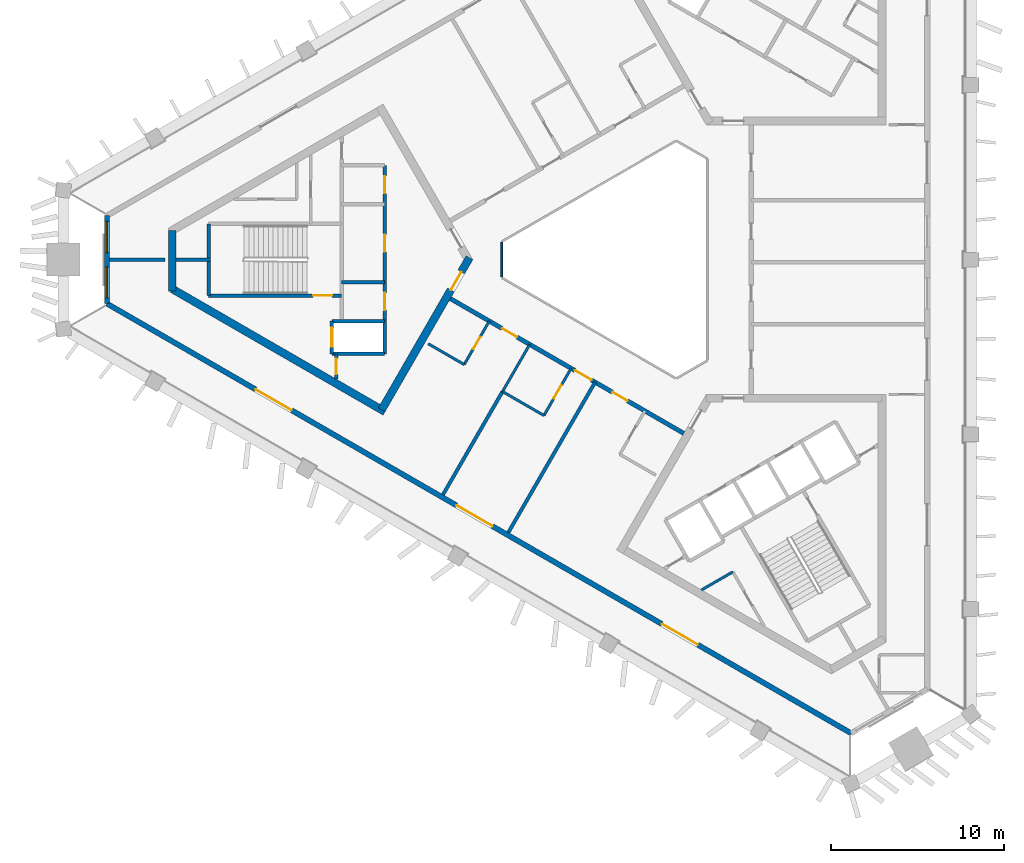
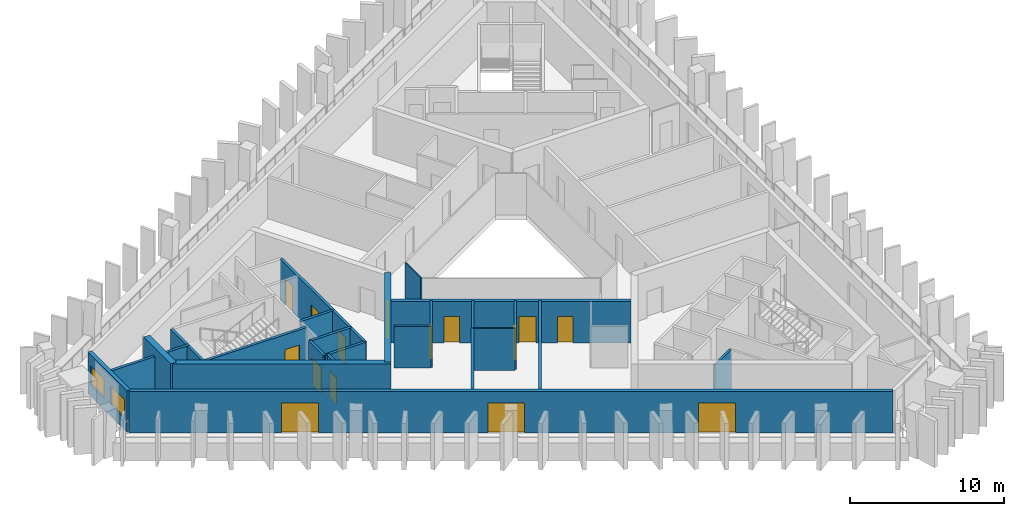
# One storey, part 2 of 9: 25 walls, 15 doors, 2 windows, 17 openings.
"""IFC4 building model written with IfcOpenShell, lengths in metres."""

from ifc_helpers import new_model, si_unit, direction, frame, frame_2d, origin, place, context, subcontext, project, spatial, rectangle, extrude, material, layer, layer_set, type_object, element, fill, save


model = new_model("IFC4")

# Units and contexts
model_context = context("Model", 3, precision=1e-05, world=origin(), true_north=direction((0.0, 1.0)))
body_context = subcontext(model_context, "Body", "Model", "MODEL_VIEW")
ifc_project = project(units=[si_unit("LENGTHUNIT", "METRE"), si_unit("AREAUNIT", "SQUARE_METRE"), si_unit("VOLUMEUNIT", "CUBIC_METRE"), si_unit("PLANEANGLEUNIT", "RADIAN"), si_unit("MASSUNIT", "GRAM", prefix="KILO")], contexts=[model_context])

# Site, building, storey
site_placement = place(None, origin())
site = spatial("IfcSite", under=ifc_project, at=site_placement, CompositionType="ELEMENT")
building_placement = place(site_placement, origin())
building = spatial("IfcBuilding", under=site, at=building_placement, Name="Jabali Bay Hotel Tower and Convention Centre", CompositionType="ELEMENT")
storey_placement = place(building_placement, frame((0.0, 0.0, 239.10009765625)))
storey = spatial("IfcBuildingStorey", under=building, at=storey_placement, Name="L59", CompositionType="ELEMENT", Elevation=239.10009765625)

# Walls
ifc_material_1 = material(Name="Fire-resistant glazing", Category="glass")
ifc_layer_1 = layer(ifc_material_1, 0.10009765625)
ifc_layer_set_1 = layer_set([ifc_layer_1], Name="Fire-resistant glazing")
wall_type_1 = type_object("IfcWallType", Name="Atrium glazed screen 100", PredefinedType="PARTITIONING", material=ifc_layer_set_1)
wall_1_placement = place(storey_placement, frame((67.672119140625, 81.0, 0.0), z_axis=(0.0, 0.0, 1.0), x_axis=(0.0, -1.0, 0.0)))
element("IfcWall", 1, at=wall_1_placement, inside=storey, type_object=wall_type_1, Name="Atrium screen 4 L59", PredefinedType="PARTITIONING", context=body_context, shape_type="SweptSolid", body=[
    extrude(rectangle(XDim=2.0, YDim=0.10009765625, at=frame_2d((1.0, 0.0))), origin(), (0.0, 0.0, 1.0), 3.2998046875),
])
ifc_material_2 = material(Name="Concrete C40", Category="concrete")
ifc_layer_2 = layer(ifc_material_2, 0.199951171875)
ifc_layer_set_2 = layer_set([ifc_layer_2], Name="Concrete C40")
wall_type_2 = type_object("IfcWallType", Name="Core partition wall 200", PredefinedType="PARTITIONING", material=ifc_layer_set_2)
wall_2_placement = place(storey_placement, frame((50.820068359375, 80.0, 0.0), z_axis=(0.0, 0.0, 1.0), x_axis=(-1.0, 0.0, 0.0)))
element("IfcWall", 2, at=wall_2_placement, inside=storey, type_object=wall_type_2, Name="Core wall 0.4 L59", PredefinedType="PARTITIONING", context=body_context, shape_type="SweptSolid", body=[
    extrude(rectangle(XDim=1.97314453125, YDim=0.199951171875, at=frame_2d((0.986572265625, 0.0))), origin(), (0.0, 0.0, 1.0), 3.2998046875),
])

# Wall, opening, door
wall_3_placement = place(storey_placement, frame((58.10009765625, 74.550048828125, 0.0), z_axis=(0.0, 0.0, 1.0), x_axis=(0.0, -1.0, 0.0)))
wall_3 = element("IfcWall", 3, at=wall_3_placement, inside=storey, type_object=wall_type_2, Name="Core wall 0.11 L59", PredefinedType="PARTITIONING", context=body_context, shape_type="SweptSolid", body=[
    extrude(rectangle(XDim=1.455078125, YDim=0.199951171875, at=frame_2d((0.7275390625, 0.0))), origin(), (0.0, 0.0, 1.0), 3.2998046875),
])
opening_1_placement = place(wall_3_placement, frame((0.277587890625, 0.0, 0.0)))
opening_1 = element("IfcOpeningElement", 4, at=opening_1_placement, cuts=wall_3, Name="Opening D1287", PredefinedType="OPENING", context=body_context, shape_type="SweptSolid", body=[
    extrude(rectangle(XDim=0.89990234375, YDim=2.10009765625, at=frame_2d((0.449951171875, 1.050048828125))), frame((0.0, 0.1103515625, 0.0), z_axis=(0.0, -1.0, 0.0), x_axis=(1.0, 0.0, 0.0)), (0.0, 0.0, 1.0), 0.220947265625),
])
ifc_material_3 = material(Name="Fire-rated steel door", Category="steel")
door_type_1 = type_object("IfcDoorType", Name="Vestibule fire door 900 x 2100", OperationType="NOTDEFINED", PredefinedType="NOTDEFINED", material=ifc_material_3)
door_1_placement = place(opening_1_placement, origin())
door_1 = element("IfcDoor", 5, at=door_1_placement, inside=storey, type_object=door_type_1, Name="Vestibule fire door D1287", OperationType="SINGLE_SWING_LEFT", OverallHeight=2.10009765625, OverallWidth=0.89990234375, PredefinedType="NOTDEFINED", context=body_context, shape_type="SweptSolid", body=[
    extrude(rectangle(XDim=0.89990234375, YDim=2.10009765625, at=frame_2d((0.449951171875, 1.050048828125))), frame((0.0, 0.02490234375, 0.0), z_axis=(0.0, -1.0, 0.0), x_axis=(1.0, 0.0, 0.0)), (0.0, 0.0, 1.0), 0.050048828125),
])
fill(opening_1, door_1)

# Walls
ifc_material_4 = material(Name="Fire-rated board partition")
ifc_layer_3 = layer(ifc_material_4, 0.14990234375)
ifc_layer_set_3 = layer_set([ifc_layer_3], Name="Fire-rated board partition")
wall_type_3 = type_object("IfcWallType", Name="Core room partition 150", PredefinedType="PARTITIONING", material=ifc_layer_set_3)
wall_4_placement = place(storey_placement, frame((79.219970703125, 60.9013671875, 0.0), z_axis=(0.0, 0.0, 1.0), x_axis=(0.866040030748, 0.499974664501, 0.0)))
element("IfcWall", 6, at=wall_4_placement, inside=storey, type_object=wall_type_3, Name="Core wall 2.16 L59", PredefinedType="PARTITIONING", context=body_context, shape_type="SweptSolid", body=[
    extrude(rectangle(XDim=2.0947265625, YDim=0.14990234375, at=frame_2d((1.04736328125, 0.0))), origin(), (0.0, 0.0, 1.0), 3.2998046875),
])
ifc_layer_4 = layer(ifc_material_2, 0.199951171875)
ifc_layer_set_4 = layer_set([ifc_layer_4], Name="Concrete C40")
wall_type_4 = type_object("IfcWallType", Name="Core stair wall 200", PredefinedType="SOLIDWALL", material=ifc_layer_set_4)
wall_5_placement = place(storey_placement, frame((60.89990234375, 78.699951171875, 0.0), z_axis=(0.0, 0.0, 1.0), x_axis=(-1.0, 0.0, 0.0)))
element("IfcWall", 7, at=wall_5_placement, inside=storey, type_object=wall_type_4, Name="Core wall 0.5 L59", PredefinedType="SOLIDWALL", context=body_context, shape_type="SweptSolid", body=[
    extrude(rectangle(XDim=2.47998046875, YDim=0.199951171875, at=frame_2d((1.239990234375, 0.0))), origin(), (0.0, 0.0, 1.0), 3.2998046875),
])

# Wall, opening, door
wall_6_placement = place(storey_placement, frame((58.419921875, 77.925048828125, 0.0), z_axis=(0.0, 0.0, 1.0), x_axis=(-1.0, 0.0, 0.0)))
wall_6 = element("IfcWall", 8, at=wall_6_placement, inside=storey, type_object=wall_type_4, Name="Core wall 0.6 L59", PredefinedType="SOLIDWALL", context=body_context, shape_type="SweptSolid", body=[
    extrude(rectangle(XDim=7.699951171875, YDim=0.199951171875, at=frame_2d((3.85009765625, 0.0))), origin(), (0.0, 0.0, 1.0), 3.2998046875),
])
opening_2_placement = place(wall_6_placement, frame((0.550048828125, 0.0, 0.0)))
opening_2 = element("IfcOpeningElement", 9, at=opening_2_placement, cuts=wall_6, Name="Opening D1289", PredefinedType="OPENING", context=body_context, shape_type="SweptSolid", body=[
    extrude(rectangle(XDim=1.10009765625, YDim=2.10009765625, at=frame_2d((0.550048828125, 1.050048828125))), frame((0.0, 0.1103515625, 0.0), z_axis=(0.0, -1.0, 0.0), x_axis=(1.0, 0.0, 0.0)), (0.0, 0.0, 1.0), 0.220947265625),
])
door_type_2 = type_object("IfcDoorType", Name="Stair fire door 1100 x 2100", OperationType="NOTDEFINED", PredefinedType="NOTDEFINED", material=ifc_material_3)
door_2_placement = place(opening_2_placement, origin())
door_2 = element("IfcDoor", 10, at=door_2_placement, inside=storey, type_object=door_type_2, Name="Stair fire door D1289", OperationType="SINGLE_SWING_RIGHT", OverallHeight=2.10009765625, OverallWidth=1.10009765625, PredefinedType="NOTDEFINED", context=body_context, shape_type="SweptSolid", body=[
    extrude(rectangle(XDim=1.10009765625, YDim=2.10009765625, at=frame_2d((0.550048828125, 1.050048828125))), frame((0.0, 0.02490234375, 0.0), z_axis=(0.0, -1.0, 0.0), x_axis=(1.0, 0.0, 0.0)), (0.0, 0.0, 1.0), 0.050048828125),
])
fill(opening_2, door_2)

# Walls
for number, where, z_axis, x_axis, name in (
    (11, (60.89990234375, 76.449951171875, 0.0), (0.0, 0.0, 1.0), (-1.0, 0.0, 0.0), "Core wall 0.7 L59"),
    (12, (60.89990234375, 74.550048828125, 0.0), (0.0, 0.0, 1.0), (-1.0, 0.0, 0.0), "Core wall 0.8 L59"),
):
    element("IfcWall", number, at=place(storey_placement, frame(where, z_axis=z_axis, x_axis=x_axis)), inside=storey, type_object=wall_type_4, Name=name, PredefinedType="SOLIDWALL", context=body_context, shape_type="SweptSolid", body=[
        extrude(rectangle(XDim=3.0498046875, YDim=0.199951171875, at=frame_2d((1.52490234375, 0.0))), origin(), (0.0, 0.0, 1.0), 3.2998046875),
    ])

# Wall, openings, doors
wall_7_placement = place(storey_placement, frame((60.89990234375, 85.449951171875, 0.0), z_axis=(0.0, 0.0, 1.0), x_axis=(0.0, -1.0, 0.0)))
wall_7 = element("IfcWall", 13, at=wall_7_placement, inside=storey, type_object=wall_type_4, Name="Core wall 0.9 L59", PredefinedType="SOLIDWALL", context=body_context, shape_type="SweptSolid", body=[
    extrude(rectangle(XDim=10.89990234375, YDim=0.199951171875, at=frame_2d((5.449951171875, 0.0))), origin(), (0.0, 0.0, 1.0), 3.2998046875),
])
opening_3_placement = place(wall_7_placement, frame((0.625, 0.0, 0.0)))
opening_3 = element("IfcOpeningElement", 14, at=opening_3_placement, cuts=wall_7, Name="Opening D1283", PredefinedType="OPENING", context=body_context, shape_type="SweptSolid", body=[
    extrude(rectangle(XDim=1.0, YDim=2.10009765625, at=frame_2d((0.5, 1.050048828125))), frame((0.0, 0.1103515625, 0.0), z_axis=(0.0, -1.0, 0.0), x_axis=(1.0, 0.0, 0.0)), (0.0, 0.0, 1.0), 0.220947265625),
])
opening_4_placement = place(wall_7_placement, frame((4.0, 0.0, 0.0)))
opening_4 = element("IfcOpeningElement", 15, at=opening_4_placement, cuts=wall_7, Name="Opening D1284", PredefinedType="OPENING", context=body_context, shape_type="SweptSolid", body=[
    extrude(rectangle(XDim=1.0, YDim=2.10009765625, at=frame_2d((0.5, 1.050048828125))), frame((0.0, 0.1103515625, 0.0), z_axis=(0.0, -1.0, 0.0), x_axis=(1.0, 0.0, 0.0)), (0.0, 0.0, 1.0), 0.220947265625),
])
opening_5_placement = place(wall_7_placement, frame((7.375, 0.0, 0.0)))
opening_5 = element("IfcOpeningElement", 16, at=opening_5_placement, cuts=wall_7, Name="Opening D1285", PredefinedType="OPENING", context=body_context, shape_type="SweptSolid", body=[
    extrude(rectangle(XDim=1.0, YDim=2.10009765625, at=frame_2d((0.5, 1.050048828125))), frame((0.0, 0.1103515625, 0.0), z_axis=(0.0, -1.0, 0.0), x_axis=(1.0, 0.0, 0.0)), (0.0, 0.0, 1.0), 0.220947265625),
])
door_type_3 = type_object("IfcDoorType", Name="Core room door 1000 x 2100", OperationType="NOTDEFINED", PredefinedType="NOTDEFINED", material=ifc_material_3)
door_3_placement = place(opening_3_placement, origin())
door_3 = element("IfcDoor", 17, at=door_3_placement, inside=storey, type_object=door_type_3, Name="Core room door D1283", OperationType="SINGLE_SWING_RIGHT", OverallHeight=2.10009765625, OverallWidth=1.0, PredefinedType="NOTDEFINED", context=body_context, shape_type="SweptSolid", body=[
    extrude(rectangle(XDim=1.0, YDim=2.10009765625, at=frame_2d((0.5, 1.050048828125))), frame((0.0, 0.02490234375, 0.0), z_axis=(0.0, -1.0, 0.0), x_axis=(1.0, 0.0, 0.0)), (0.0, 0.0, 1.0), 0.050048828125),
])
fill(opening_3, door_3)
door_4_placement = place(opening_4_placement, origin())
door_4 = element("IfcDoor", 18, at=door_4_placement, inside=storey, type_object=door_type_3, Name="Core room door D1284", OperationType="SINGLE_SWING_RIGHT", OverallHeight=2.10009765625, OverallWidth=1.0, PredefinedType="NOTDEFINED", context=body_context, shape_type="SweptSolid", body=[
    extrude(rectangle(XDim=1.0, YDim=2.10009765625, at=frame_2d((0.5, 1.050048828125))), frame((0.0, 0.02490234375, 0.0), z_axis=(0.0, -1.0, 0.0), x_axis=(1.0, 0.0, 0.0)), (0.0, 0.0, 1.0), 0.050048828125),
])
fill(opening_4, door_4)
door_5_placement = place(opening_5_placement, origin())
door_5 = element("IfcDoor", 19, at=door_5_placement, inside=storey, type_object=door_type_3, Name="Core room door D1285", OperationType="SINGLE_SWING_RIGHT", OverallHeight=2.10009765625, OverallWidth=1.0, PredefinedType="NOTDEFINED", context=body_context, shape_type="SweptSolid", body=[
    extrude(rectangle(XDim=1.0, YDim=2.10009765625, at=frame_2d((0.5, 1.050048828125))), frame((0.0, 0.02490234375, 0.0), z_axis=(0.0, -1.0, 0.0), x_axis=(1.0, 0.0, 0.0)), (0.0, 0.0, 1.0), 0.050048828125),
])
fill(opening_5, door_5)

# Wall, opening, door
wall_8_placement = place(storey_placement, frame((57.85009765625, 76.449951171875, 0.0), z_axis=(0.0, 0.0, 1.0), x_axis=(0.0, -1.0, 0.0)))
wall_8 = element("IfcWall", 20, at=wall_8_placement, inside=storey, type_object=wall_type_4, Name="Core wall 0.12 L59", PredefinedType="SOLIDWALL", context=body_context, shape_type="SweptSolid", body=[
    extrude(rectangle(XDim=1.89990234375, YDim=0.199951171875, at=frame_2d((0.949951171875, 0.0))), origin(), (0.0, 0.0, 1.0), 3.2998046875),
])
opening_6_placement = place(wall_8_placement, frame((0.39990234375, 0.0, 0.0)))
opening_6 = element("IfcOpeningElement", 21, at=opening_6_placement, cuts=wall_8, Name="Opening LD5-L59", PredefinedType="OPENING", context=body_context, shape_type="SweptSolid", body=[
    extrude(rectangle(XDim=1.10009765625, YDim=2.10009765625, at=frame_2d((0.550048828125, 1.050048828125))), frame((0.0, 0.1103515625, 0.0), z_axis=(0.0, -1.0, 0.0), x_axis=(1.0, 0.0, 0.0)), (0.0, 0.0, 1.0), 0.220947265625),
])
ifc_material_5 = material(Name="Stainless steel landing door", Category="steel")
door_type_4 = type_object("IfcDoorType", Name="Landing door 1100 x 2100", OperationType="NOTDEFINED", PredefinedType="NOTDEFINED", material=ifc_material_5)
door_6_placement = place(opening_6_placement, origin())
door_6 = element("IfcDoor", 22, at=door_6_placement, inside=storey, type_object=door_type_4, Name="Landing doors LD5-L59", OperationType="SLIDING_TO_RIGHT", OverallHeight=2.10009765625, OverallWidth=1.10009765625, PredefinedType="NOTDEFINED", context=body_context, shape_type="SweptSolid", body=[
    extrude(rectangle(XDim=1.10009765625, YDim=2.10009765625, at=frame_2d((0.550048828125, 1.050048828125))), frame((0.0, 0.02490234375, 0.0), z_axis=(0.0, -1.0, 0.0), x_axis=(1.0, 0.0, 0.0)), (0.0, 0.0, 1.0), 0.050048828125),
])
fill(opening_6, door_6)

# Walls
wall_9_placement = place(storey_placement, frame((50.719970703125, 82.074951171875, 0.0), z_axis=(0.0, 0.0, 1.0), x_axis=(0.0, -1.0, 0.0)))
element("IfcWall", 23, at=wall_9_placement, inside=storey, type_object=wall_type_4, Name="Core wall 0.15 L59", PredefinedType="SOLIDWALL", context=body_context, shape_type="SweptSolid", body=[
    extrude(rectangle(XDim=4.14990234375, YDim=0.199951171875, at=frame_2d((2.074951171875, 0.0))), origin(), (0.0, 0.0, 1.0), 3.2998046875),
])
ifc_material_6 = material(Name="Concrete C60", Category="concrete")
ifc_layer_5 = layer(ifc_material_6, 0.449951171875)
ifc_layer_set_5 = layer_set([ifc_layer_5], Name="Concrete C60")
wall_type_5 = type_object("IfcWallType", Name="Core wall 450", PredefinedType="SHEAR", material=ifc_layer_set_5)
wall_10_placement = place(storey_placement, frame((48.621826171875, 81.692626953125, 0.0), z_axis=(0.0, 0.0, 1.0), x_axis=(0.0, -1.0, 0.0)))
element("IfcWall", 24, at=wall_10_placement, inside=storey, type_object=wall_type_5, Name="Core wall 1.3 L59", PredefinedType="SHEAR", context=body_context, shape_type="SweptSolid", body=[
    extrude(rectangle(XDim=3.515380859375, YDim=0.449951171875, at=frame_2d((1.7578125, 0.0))), origin(), (0.0, 0.0, 1.0), 3.699951171875),
])
wall_11_placement = place(storey_placement, frame((48.621826171875, 78.307373046875, 0.0), z_axis=(0.0, 0.0, 1.0), x_axis=(0.86602701116, -0.499997215934, 0.0)))
element("IfcWall", 25, at=wall_11_placement, inside=storey, type_object=wall_type_5, Name="Core wall 1.4 L59", PredefinedType="SHEAR", context=body_context, shape_type="SweptSolid", body=[
    extrude(rectangle(XDim=14.20361328125, YDim=0.449951171875, at=frame_2d((7.101806640625, 0.0))), origin(), (0.0, 0.0, 1.0), 3.699951171875),
])

# Wall, opening, door
wall_12_placement = place(storey_placement, frame((60.7275390625, 71.318115234375, 0.0), z_axis=(0.0, 0.0, 1.0), x_axis=(0.500012416173, 0.866018235185, 0.0)))
wall_12 = element("IfcWall", 26, at=wall_12_placement, inside=storey, type_object=wall_type_5, Name="Core wall 1.5 L59", PredefinedType="SHEAR", context=body_context, shape_type="SweptSolid", body=[
    extrude(rectangle(XDim=10.155029296875, YDim=0.449951171875, at=frame_2d((5.07763671875, 0.0))), origin(), (0.0, 0.0, 1.0), 3.699951171875),
])
opening_7_placement = place(wall_12_placement, frame((8.0048828125, 0.0, 0.0)))
opening_7 = element("IfcOpeningElement", 27, at=opening_7_placement, cuts=wall_12, Name="Opening D1282", PredefinedType="OPENING", context=body_context, shape_type="SweptSolid", body=[
    extrude(rectangle(XDim=1.199951171875, YDim=2.10009765625, at=frame_2d((0.60009765625, 1.050048828125))), frame((0.0, 0.2353515625, 0.0), z_axis=(0.0, -1.0, 0.0), x_axis=(1.0, 0.0, 0.0)), (0.0, 0.0, 1.0), 0.470947265625),
])
door_type_5 = type_object("IfcDoorType", Name="Corridor end fire door 1200 x 2100", OperationType="NOTDEFINED", PredefinedType="NOTDEFINED", material=ifc_material_3)
door_7_placement = place(opening_7_placement, origin())
door_7 = element("IfcDoor", 28, at=door_7_placement, inside=storey, type_object=door_type_5, Name="Corridor end fire door D1282", OperationType="SINGLE_SWING_LEFT", OverallHeight=2.10009765625, OverallWidth=1.199951171875, PredefinedType="NOTDEFINED", context=body_context, shape_type="SweptSolid", body=[
    extrude(rectangle(XDim=1.199951171875, YDim=2.10009765625, at=frame_2d((0.60009765625, 1.050048828125))), frame((0.0, 0.02490234375, 0.0), z_axis=(0.0, -1.0, 0.0), x_axis=(1.0, 0.0, 0.0)), (0.0, 0.0, 1.0), 0.050048828125),
])
fill(opening_7, door_7)

# Wall, openings, doors
ifc_layer_6 = layer(ifc_material_6, 0.25)
ifc_layer_set_6 = layer_set([ifc_layer_6], Name="Concrete C60")
wall_type_6 = type_object("IfcWallType", Name="Corridor wall 250", PredefinedType="SHEAR", material=ifc_layer_set_6)
wall_13_placement = place(storey_placement, frame((64.699951171875, 77.748291015625, 0.0), z_axis=(0.0, 0.0, 1.0), x_axis=(0.866026492143, -0.499998114903, 0.0)))
wall_13 = element("IfcWall", 29, at=wall_13_placement, inside=storey, type_object=wall_type_6, Name="Corridor wall 3 L59", PredefinedType="SHEAR", context=body_context, shape_type="SweptSolid", body=[
    extrude(rectangle(XDim=15.58837890625, YDim=0.25, at=frame_2d((7.794189453125, 0.0))), origin(), (0.0, 0.0, 1.0), 3.2998046875),
])
opening_8_placement = place(wall_13_placement, frame((3.449951171875, 0.0, 0.0)))
opening_8 = element("IfcOpeningElement", 30, at=opening_8_placement, cuts=wall_13, Name="Opening 5915", PredefinedType="OPENING", context=body_context, shape_type="SweptSolid", body=[
    extrude(rectangle(XDim=1.0, YDim=2.10009765625, at=frame_2d((0.5, 1.050048828125))), frame((0.0, 0.135498046875, 0.0), z_axis=(0.0, -1.0, 0.0), x_axis=(1.0, 0.0, 0.0)), (0.0, 0.0, 1.0), 0.27099609375),
])
opening_9_placement = place(wall_13_placement, frame((8.314697265625, 0.0, 0.0)))
opening_9 = element("IfcOpeningElement", 31, at=opening_9_placement, cuts=wall_13, Name="Opening 5917", PredefinedType="OPENING", context=body_context, shape_type="SweptSolid", body=[
    extrude(rectangle(XDim=1.10009765625, YDim=2.10009765625, at=frame_2d((0.550048828125, 1.050048828125))), frame((0.0, 0.135498046875, 0.0), z_axis=(0.0, -1.0, 0.0), x_axis=(1.0, 0.0, 0.0)), (0.0, 0.0, 1.0), 0.27099609375),
])
opening_10_placement = place(wall_13_placement, frame((10.82666015625, 0.0, 0.0)))
opening_10 = element("IfcOpeningElement", 32, at=opening_10_placement, cuts=wall_13, Name="Opening 5919", PredefinedType="OPENING", context=body_context, shape_type="SweptSolid", body=[
    extrude(rectangle(XDim=1.0, YDim=2.10009765625, at=frame_2d((0.5, 1.050048828125))), frame((0.0, 0.135498046875, 0.0), z_axis=(0.0, -1.0, 0.0), x_axis=(1.0, 0.0, 0.0)), (0.0, 0.0, 1.0), 0.27099609375),
])
ifc_material_7 = material(Name="Timber", Category="wood")
door_type_6 = type_object("IfcDoorType", Name="Accessible guest room door 1100 x 2100", OperationType="NOTDEFINED", PredefinedType="NOTDEFINED", material=ifc_material_7)
door_8_placement = place(opening_9_placement, origin())
door_8 = element("IfcDoor", 33, at=door_8_placement, inside=storey, type_object=door_type_6, Name="Door 5917", OperationType="SINGLE_SWING_RIGHT", OverallHeight=2.10009765625, OverallWidth=1.10009765625, PredefinedType="NOTDEFINED", context=body_context, shape_type="SweptSolid", body=[
    extrude(rectangle(XDim=1.10009765625, YDim=2.10009765625, at=frame_2d((0.550048828125, 1.050048828125))), frame((0.0, 0.02490234375, 0.0), z_axis=(0.0, -1.0, 0.0), x_axis=(1.0, 0.0, 0.0)), (0.0, 0.0, 1.0), 0.050048828125),
])
fill(opening_9, door_8)
door_type_7 = type_object("IfcDoorType", Name="Guest room door 1000 x 2100", OperationType="NOTDEFINED", PredefinedType="NOTDEFINED", material=ifc_material_7)
door_9_placement = place(opening_8_placement, origin())
door_9 = element("IfcDoor", 34, at=door_9_placement, inside=storey, type_object=door_type_7, Name="Door 5915", OperationType="SINGLE_SWING_LEFT", OverallHeight=2.10009765625, OverallWidth=1.0, PredefinedType="NOTDEFINED", context=body_context, shape_type="SweptSolid", body=[
    extrude(rectangle(XDim=1.0, YDim=2.10009765625, at=frame_2d((0.5, 1.050048828125))), frame((0.0, 0.02490234375, 0.0), z_axis=(0.0, -1.0, 0.0), x_axis=(1.0, 0.0, 0.0)), (0.0, 0.0, 1.0), 0.050048828125),
])
fill(opening_8, door_9)
door_10_placement = place(opening_10_placement, origin())
door_10 = element("IfcDoor", 35, at=door_10_placement, inside=storey, type_object=door_type_7, Name="Door 5919", OperationType="SINGLE_SWING_RIGHT", OverallHeight=2.10009765625, OverallWidth=1.0, PredefinedType="NOTDEFINED", context=body_context, shape_type="SweptSolid", body=[
    extrude(rectangle(XDim=1.0, YDim=2.10009765625, at=frame_2d((0.5, 1.050048828125))), frame((0.0, 0.02490234375, 0.0), z_axis=(0.0, -1.0, 0.0), x_axis=(1.0, 0.0, 0.0)), (0.0, 0.0, 1.0), 0.050048828125),
])
fill(opening_10, door_10)

# Wall, openings, windows
ifc_layer_7 = layer(ifc_material_2, 0.300048828125)
ifc_layer_set_7 = layer_set([ifc_layer_7], Name="Concrete C40")
wall_type_7 = type_object("IfcWallType", Name="External wall 300", PredefinedType="SOLIDWALL", material=ifc_layer_set_7)
wall_14_placement = place(storey_placement, frame((44.844970703125, 77.45849609375, 0.0), z_axis=(0.0, 0.0, 1.0), x_axis=(0.0, 1.0, 0.0)))
wall_14 = element("IfcWall", 36, at=wall_14_placement, inside=storey, type_object=wall_type_7, Name="External wall west chamfer L59", PredefinedType="SOLIDWALL", context=body_context, shape_type="SweptSolid", body=[
    extrude(rectangle(XDim=5.0830078125, YDim=0.300048828125, at=frame_2d((2.54150390625, 0.0))), origin(), (0.0, 0.0, 1.0), 3.2998046875),
])
opening_11_placement = place(wall_14_placement, frame((2.955078125, 0.0, 0.89990234375)))
opening_11 = element("IfcOpeningElement", 37, at=opening_11_placement, cuts=wall_14, Name="Opening W1", PredefinedType="OPENING", context=body_context, shape_type="SweptSolid", body=[
    extrude(rectangle(XDim=1.800048828125, YDim=1.5, at=frame_2d((0.89990234375, 0.75))), frame((0.0, 0.16064453125, 0.0), z_axis=(0.0, -1.0, 0.0), x_axis=(1.0, 0.0, 0.0)), (0.0, 0.0, 1.0), 0.321044921875),
])
opening_12_placement = place(wall_14_placement, frame((0.327880859375, 0.0, 0.89990234375)))
opening_12 = element("IfcOpeningElement", 38, at=opening_12_placement, cuts=wall_14, Name="Opening W1", PredefinedType="OPENING", context=body_context, shape_type="SweptSolid", body=[
    extrude(rectangle(XDim=1.800048828125, YDim=1.5, at=frame_2d((0.89990234375, 0.75))), frame((0.0, 0.16064453125, 0.0), z_axis=(0.0, -1.0, 0.0), x_axis=(1.0, 0.0, 0.0)), (0.0, 0.0, 1.0), 0.321044921875),
])
ifc_material_8 = material(Name="Glass", Category="glass")
window_type = type_object("IfcWindowType", Name="Window 1800 x 1500", PartitioningType="SINGLE_PANEL", PredefinedType="WINDOW", material=ifc_material_8)
window_1_placement = place(opening_11_placement, origin())
window_1 = element("IfcWindow", 39, at=window_1_placement, inside=storey, type_object=window_type, Name="Window 5907", OverallHeight=1.5, OverallWidth=1.800048828125, PartitioningType="SINGLE_PANEL", PredefinedType="WINDOW", context=body_context, shape_type="SweptSolid", body=[
    extrude(rectangle(XDim=1.800048828125, YDim=1.5, at=frame_2d((0.89990234375, 0.75))), frame((0.0, 0.030029296875, 0.0), z_axis=(0.0, -1.0, 0.0), x_axis=(1.0, 0.0, 0.0)), (0.0, 0.0, 1.0), 0.06005859375),
])
fill(opening_11, window_1)
window_2_placement = place(opening_12_placement, origin())
window_2 = element("IfcWindow", 40, at=window_2_placement, inside=storey, type_object=window_type, Name="Window 5908", OverallHeight=1.5, OverallWidth=1.800048828125, PartitioningType="SINGLE_PANEL", PredefinedType="WINDOW", context=body_context, shape_type="SweptSolid", body=[
    extrude(rectangle(XDim=1.800048828125, YDim=1.5, at=frame_2d((0.89990234375, 0.75))), frame((0.0, 0.030029296875, 0.0), z_axis=(0.0, -1.0, 0.0), x_axis=(1.0, 0.0, 0.0)), (0.0, 0.0, 1.0), 0.06005859375),
])
fill(opening_12, window_2)

# Wall, openings, doors
wall_15_placement = place(storey_placement, frame((87.87646484375, 52.6142578125, 0.0), z_axis=(0.0, 0.0, 1.0), x_axis=(-0.866025459945, 0.499999902727, 0.0)))
wall_15 = element("IfcWall", 41, at=wall_15_placement, inside=storey, type_object=wall_type_7, Name="External wall south-west face L59", PredefinedType="SOLIDWALL", context=body_context, shape_type="SweptSolid", body=[
    extrude(rectangle(XDim=49.6884765625, YDim=0.300048828125, at=frame_2d((24.84423828125, 0.0))), origin(), (0.0, 0.0, 1.0), 3.2998046875),
])
opening_13_placement = place(wall_15_placement, frame((23.9560546875, 0.0, 0.0)))
opening_13 = element("IfcOpeningElement", 42, at=opening_13_placement, cuts=wall_15, Name="Opening SD1", PredefinedType="OPENING", context=body_context, shape_type="SweptSolid", body=[
    extrude(rectangle(XDim=2.39990234375, YDim=2.39990234375, at=frame_2d((1.199951171875, 1.199951171875))), frame((0.0, 0.16064453125, 0.0), z_axis=(0.0, -1.0, 0.0), x_axis=(1.0, 0.0, 0.0)), (0.0, 0.0, 1.0), 0.321044921875),
])
opening_14_placement = place(wall_15_placement, frame((37.356689453125, 0.0, 0.0)))
opening_14 = element("IfcOpeningElement", 43, at=opening_14_placement, cuts=wall_15, Name="Opening SD1", PredefinedType="OPENING", context=body_context, shape_type="SweptSolid", body=[
    extrude(rectangle(XDim=2.39990234375, YDim=2.39990234375, at=frame_2d((1.199951171875, 1.199951171875))), frame((0.0, 0.16064453125, 0.0), z_axis=(0.0, -1.0, 0.0), x_axis=(1.0, 0.0, 0.0)), (0.0, 0.0, 1.0), 0.321044921875),
])
opening_15_placement = place(wall_15_placement, frame((10.243408203125, 0.0, 0.0)))
opening_15 = element("IfcOpeningElement", 44, at=opening_15_placement, cuts=wall_15, Name="Opening SD1", PredefinedType="OPENING", context=body_context, shape_type="SweptSolid", body=[
    extrude(rectangle(XDim=2.39990234375, YDim=2.39990234375, at=frame_2d((1.199951171875, 1.199951171875))), frame((0.0, 0.16064453125, 0.0), z_axis=(0.0, -1.0, 0.0), x_axis=(1.0, 0.0, 0.0)), (0.0, 0.0, 1.0), 0.321044921875),
])
door_type_8 = type_object("IfcDoorType", Name="Loggia sliding door 2400 x 2400", OperationType="NOTDEFINED", PredefinedType="NOTDEFINED", material=ifc_material_8)
door_11_placement = place(opening_13_placement, origin())
door_11 = element("IfcDoor", 45, at=door_11_placement, inside=storey, type_object=door_type_8, Name="Loggia sliding door 5909", OperationType="SLIDING_TO_LEFT", OverallHeight=2.39990234375, OverallWidth=2.39990234375, PredefinedType="NOTDEFINED", context=body_context, shape_type="SweptSolid", body=[
    extrude(rectangle(XDim=2.39990234375, YDim=2.39990234375, at=frame_2d((1.199951171875, 1.199951171875))), frame((0.0, 0.02490234375, 0.0), z_axis=(0.0, -1.0, 0.0), x_axis=(1.0, 0.0, 0.0)), (0.0, 0.0, 1.0), 0.050048828125),
])
fill(opening_13, door_11)
door_12_placement = place(opening_14_placement, origin())
door_12 = element("IfcDoor", 46, at=door_12_placement, inside=storey, type_object=door_type_8, Name="Loggia sliding door 5908", OperationType="SLIDING_TO_RIGHT", OverallHeight=2.39990234375, OverallWidth=2.39990234375, PredefinedType="NOTDEFINED", context=body_context, shape_type="SweptSolid", body=[
    extrude(rectangle(XDim=2.39990234375, YDim=2.39990234375, at=frame_2d((1.199951171875, 1.199951171875))), frame((0.0, 0.02490234375, 0.0), z_axis=(0.0, -1.0, 0.0), x_axis=(1.0, 0.0, 0.0)), (0.0, 0.0, 1.0), 0.050048828125),
])
fill(opening_14, door_12)
door_13_placement = place(opening_15_placement, origin())
door_13 = element("IfcDoor", 47, at=door_13_placement, inside=storey, type_object=door_type_8, Name="Loggia sliding door 5910", OperationType="SLIDING_TO_LEFT", OverallHeight=2.39990234375, OverallWidth=2.39990234375, PredefinedType="NOTDEFINED", context=body_context, shape_type="SweptSolid", body=[
    extrude(rectangle(XDim=2.39990234375, YDim=2.39990234375, at=frame_2d((1.199951171875, 1.199951171875))), frame((0.0, 0.02490234375, 0.0), z_axis=(0.0, -1.0, 0.0), x_axis=(1.0, 0.0, 0.0)), (0.0, 0.0, 1.0), 0.050048828125),
])
fill(opening_15, door_13)

# Wall, opening, door
ifc_material_9 = material(Name="Plasterboard on steel stud", Category="steel")
ifc_layer_8 = layer(ifc_material_9, 0.14990234375)
ifc_layer_set_8 = layer_set([ifc_layer_8], Name="Plasterboard on steel stud")
wall_type_8 = type_object("IfcWallType", Name="Partition 150 wet", PredefinedType="PARTITIONING", material=ifc_layer_set_8)
wall_16_placement = place(storey_placement, frame((66.95166015625, 76.4482421875, 0.0), z_axis=(0.0, 0.0, 1.0), x_axis=(-0.499987231761, -0.866032775405, 0.0)))
wall_16 = element("IfcWall", 48, at=wall_16_placement, inside=storey, type_object=wall_type_8, Name="Partition P03 L59 021", PredefinedType="PARTITIONING", context=body_context, shape_type="SweptSolid", body=[
    extrude(rectangle(XDim=2.89990234375, YDim=0.14990234375, at=frame_2d((1.449951171875, 0.0))), origin(), (0.0, 0.0, 1.0), 3.2998046875),
])
opening_16_placement = place(wall_16_placement, frame((1.050048828125, 0.0, 0.0)))
opening_16 = element("IfcOpeningElement", 49, at=opening_16_placement, cuts=wall_16, Name="Opening 5914", PredefinedType="OPENING", context=body_context, shape_type="SweptSolid", body=[
    extrude(rectangle(XDim=0.800048828125, YDim=2.10009765625, at=frame_2d((0.39990234375, 1.050048828125))), frame((0.0, 0.08544921875, 0.0), z_axis=(0.0, -1.0, 0.0), x_axis=(1.0, 0.0, 0.0)), (0.0, 0.0, 1.0), 0.1708984375),
])
door_type_9 = type_object("IfcDoorType", Name="En-suite door 800 x 2100", OperationType="NOTDEFINED", PredefinedType="NOTDEFINED", material=ifc_material_7)
door_14_placement = place(opening_16_placement, origin())
door_14 = element("IfcDoor", 50, at=door_14_placement, inside=storey, type_object=door_type_9, Name="Door 5914", OperationType="SINGLE_SWING_RIGHT", OverallHeight=2.10009765625, OverallWidth=0.800048828125, PredefinedType="NOTDEFINED", context=body_context, shape_type="SweptSolid", body=[
    extrude(rectangle(XDim=0.800048828125, YDim=2.10009765625, at=frame_2d((0.39990234375, 1.050048828125))), frame((0.0, 0.02490234375, 0.0), z_axis=(0.0, -1.0, 0.0), x_axis=(1.0, 0.0, 0.0)), (0.0, 0.0, 1.0), 0.050048828125),
])
fill(opening_16, door_14)

# Walls
wall_17_placement = place(storey_placement, frame((65.501708984375, 73.936767578125, 0.0), z_axis=(0.0, 0.0, 1.0), x_axis=(-0.865994240961, 0.500053971709, 0.0)))
element("IfcWall", 51, at=wall_17_placement, inside=storey, type_object=wall_type_8, Name="Partition P03 L59 022", PredefinedType="PARTITIONING", context=body_context, shape_type="SweptSolid", body=[
    extrude(rectangle(XDim=2.401123046875, YDim=0.14990234375, at=frame_2d((1.20068359375, 0.0))), origin(), (0.0, 0.0, 1.0), 3.2998046875),
])
wall_18_placement = place(storey_placement, frame((67.716552734375, 72.373046875, 0.0), z_axis=(0.0, 0.0, 1.0), x_axis=(0.500002266011, 0.866024095498, 0.0)))
element("IfcWall", 52, at=wall_18_placement, inside=storey, type_object=wall_type_8, Name="Partition P03 L59 024", PredefinedType="PARTITIONING", context=body_context, shape_type="SweptSolid", body=[
    extrude(rectangle(XDim=3.14697265625, YDim=0.14990234375, at=frame_2d((1.573486328125, 0.0))), origin(), (0.0, 0.0, 1.0), 3.2998046875),
])

# Wall, opening, door
wall_19_placement = place(storey_placement, frame((71.684326171875, 73.7158203125, 0.0), z_axis=(0.0, 0.0, 1.0), x_axis=(-0.499977671647, -0.866038294681, 0.0)))
wall_19 = element("IfcWall", 53, at=wall_19_placement, inside=storey, type_object=wall_type_8, Name="Partition P03 L59 025", PredefinedType="PARTITIONING", context=body_context, shape_type="SweptSolid", body=[
    extrude(rectangle(XDim=3.146728515625, YDim=0.14990234375, at=frame_2d((1.5732421875, 0.0))), origin(), (0.0, 0.0, 1.0), 3.2998046875),
])
opening_17_placement = place(wall_19_placement, frame((1.123046875, 0.0, 0.0)))
opening_17 = element("IfcOpeningElement", 54, at=opening_17_placement, cuts=wall_19, Name="Opening 5916", PredefinedType="OPENING", context=body_context, shape_type="SweptSolid", body=[
    extrude(rectangle(XDim=0.89990234375, YDim=2.10009765625, at=frame_2d((0.449951171875, 1.050048828125))), frame((0.0, 0.08544921875, 0.0), z_axis=(0.0, -1.0, 0.0), x_axis=(1.0, 0.0, 0.0)), (0.0, 0.0, 1.0), 0.1708984375),
])
door_type_10 = type_object("IfcDoorType", Name="Accessible en-suite door 900 x 2100", OperationType="NOTDEFINED", PredefinedType="NOTDEFINED", material=ifc_material_7)
door_15_placement = place(opening_17_placement, origin())
door_15 = element("IfcDoor", 55, at=door_15_placement, inside=storey, type_object=door_type_10, Name="Door 5916", OperationType="SINGLE_SWING_LEFT", OverallHeight=2.10009765625, OverallWidth=0.89990234375, PredefinedType="NOTDEFINED", context=body_context, shape_type="SweptSolid", body=[
    extrude(rectangle(XDim=0.89990234375, YDim=2.10009765625, at=frame_2d((0.449951171875, 1.050048828125))), frame((0.0, 0.02490234375, 0.0), z_axis=(0.0, -1.0, 0.0), x_axis=(1.0, 0.0, 0.0)), (0.0, 0.0, 1.0), 0.050048828125),
])
fill(opening_17, door_15)

# Walls
wall_20_placement = place(storey_placement, frame((70.111083984375, 70.99072265625, 0.0), z_axis=(0.0, 0.0, 1.0), x_axis=(-0.866050310653, 0.499956857557, 0.0)))
element("IfcWall", 56, at=wall_20_placement, inside=storey, type_object=wall_type_8, Name="Partition P03 L59 026", PredefinedType="PARTITIONING", context=body_context, shape_type="SweptSolid", body=[
    extrude(rectangle(XDim=2.764892578125, YDim=0.14990234375, at=frame_2d((1.38232421875, 0.0))), origin(), (0.0, 0.0, 1.0), 3.2998046875),
])
ifc_layer_9 = layer(ifc_material_9, 0.199951171875)
ifc_layer_set_9 = layer_set([ifc_layer_9], Name="Plasterboard on steel stud")
wall_type_9 = type_object("IfcWallType", Name="Partition 200 party", PredefinedType="PARTITIONING", material=ifc_layer_set_9)
wall_21_placement = place(storey_placement, frame((44.994140625, 80.0009765625, 0.0), z_axis=(0.0, 0.0, 1.0), x_axis=(1.0, 0.0, 0.0)))
element("IfcWall", 57, at=wall_21_placement, inside=storey, type_object=wall_type_9, Name="Partition P01 L59 020", PredefinedType="PARTITIONING", context=body_context, shape_type="SweptSolid", body=[
    extrude(rectangle(XDim=3.203857421875, YDim=0.199951171875, at=frame_2d((1.60205078125, 0.0))), origin(), (0.0, 0.0, 1.0), 3.2998046875),
])
wall_22_placement = place(storey_placement, frame((64.275146484375, 66.41259765625, 0.0), z_axis=(0.0, 0.0, 1.0), x_axis=(0.500015178307, 0.866016640408, 0.0)))
element("IfcWall", 58, at=wall_22_placement, inside=storey, type_object=wall_type_9, Name="Partition P01 L59 023", PredefinedType="PARTITIONING", context=body_context, shape_type="SweptSolid", body=[
    extrude(rectangle(XDim=6.882568359375, YDim=0.199951171875, at=frame_2d((3.44140625, 0.0))), origin(), (0.0, 0.0, 1.0), 3.2998046875),
])
wall_23_placement = place(storey_placement, frame((68.05517578125, 64.230224609375, 0.0), z_axis=(0.0, 0.0, 1.0), x_axis=(0.50001112685, 0.866018979599, 0.0)))
element("IfcWall", 59, at=wall_23_placement, inside=storey, type_object=wall_type_9, Name="Partition P01 L59 027", PredefinedType="PARTITIONING", context=body_context, shape_type="SweptSolid", body=[
    extrude(rectangle(XDim=10.029541015625, YDim=0.199951171875, at=frame_2d((5.0146484375, 0.0))), origin(), (0.0, 0.0, 1.0), 3.2998046875),
])

save(model, "model.ifc")
